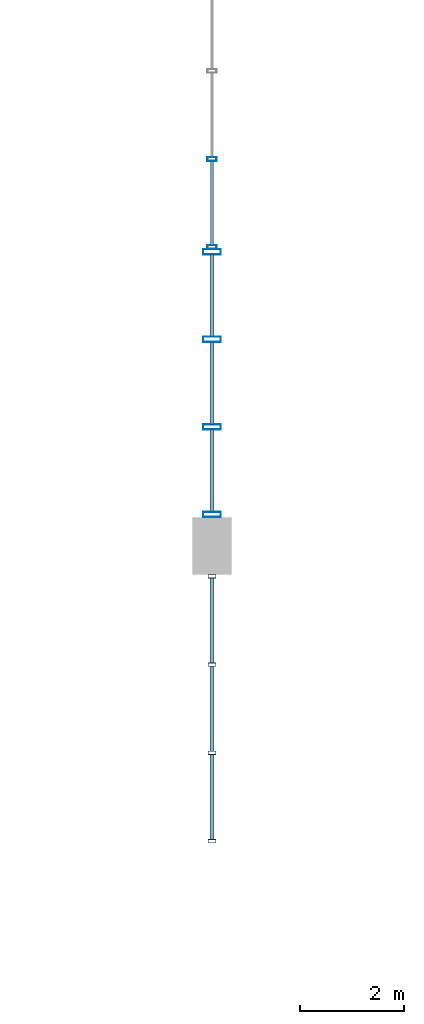
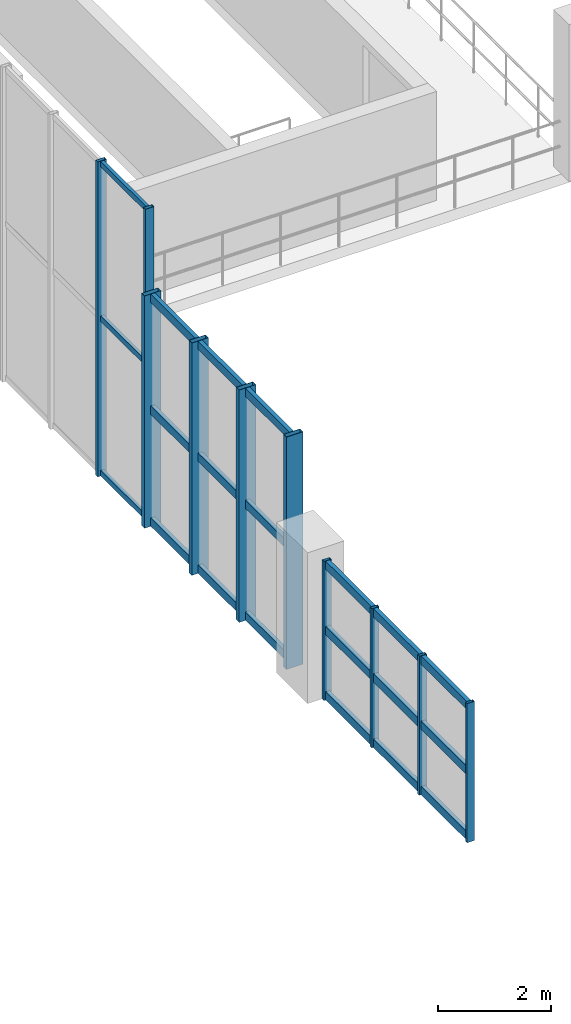
# One storey, part 6 of 28: 31 members, 3 elements without a shape of their own.
"""IFC4 building model written with IfcOpenShell, lengths in metres."""

from ifc_helpers import new_model, si_unit, direction, frame, origin, origin_2d, place, context, subcontext, project, spatial, hollow_rectangle, extrude, material, layer, layer_set, material_profile, profile_set, type_object, element, aggregate, save


model = new_model("IFC4")

# Units and contexts
model_context = context("Model", 3, precision=1e-05, world=origin(), true_north=direction((0.0, 1.0)))
body_context = subcontext(model_context, "Body", "Model", "MODEL_VIEW")
ifc_project = project(units=[si_unit("LENGTHUNIT", "METRE"), si_unit("AREAUNIT", "SQUARE_METRE"), si_unit("VOLUMEUNIT", "CUBIC_METRE"), si_unit("PLANEANGLEUNIT", "RADIAN"), si_unit("MASSUNIT", "GRAM", prefix="KILO"), si_unit("POWERUNIT", "WATT"), si_unit("THERMODYNAMICTEMPERATUREUNIT", "KELVIN")], contexts=[model_context])

# Site, building, storey
site_placement = place(None, origin())
site = spatial("IfcSite", under=ifc_project, at=site_placement, CompositionType="ELEMENT")
building_placement = place(site_placement, origin())
building = spatial("IfcBuilding", under=site, at=building_placement, Name="Kelmbourne Parkland Aquatics Centre", CompositionType="ELEMENT")
storey_placement = place(building_placement, frame((0.0, 0.0, 19.199951171875)))
storey = spatial("IfcBuildingStorey", under=building, at=storey_placement, Name="L04", CompositionType="ELEMENT", Elevation=19.199951171875)

# Curtain wall, members
ifc_material = material(Name="Thermally broken anodised aluminium framing", Category="aluminium")
ifc_layer_1 = layer(ifc_material, 0.179931640625)
ifc_layer_set_1 = layer_set([ifc_layer_1], Name="Thermally broken anodised aluminium framing")
curtain_wall_type_1 = type_object("IfcCurtainWallType", Name="CW-08", PredefinedType="NOTDEFINED", material=ifc_layer_set_1)
curtain_wall_1_placement = place(storey_placement, origin())
curtain_wall_1 = element("IfcCurtainWall", 1, at=curtain_wall_1_placement, inside=storey, type_object=curtain_wall_type_1, Name="Wave-hall clerestory curtain wall CW-L04-080", PredefinedType="NOTDEFINED")
ifc_material_profile_1 = material_profile(ifc_material, hollow_rectangle(XDim=0.06494140625, YDim=0.14990234375, WallThickness=0.00390625, at=origin_2d()), Name="CW-M 65x150")
ifc_profile_set_1 = profile_set([ifc_material_profile_1], Name="Thermally broken anodised aluminium framing")
member_type_1 = type_object("IfcMemberType", Name="MB-MUL-1", PredefinedType="MULLION", material=ifc_profile_set_1)
member_1_placement = place(storey_placement, frame((128.0, 86.33251953125, 0.0), z_axis=(0.0, 0.0, 1.0), x_axis=(0.0, 1.0, 0.0)))
member_1 = element("IfcMember", 2, at=member_1_placement, type_object=member_type_1, Name="CW-L04-080 mullion 0", PredefinedType="MULLION", context=body_context, shape_type="SweptSolid", body=[
    extrude(hollow_rectangle(XDim=0.06494140625, YDim=0.14990234375, WallThickness=0.00390625, at=origin_2d()), origin(), (0.0, 0.0, 1.0), 3.015869140625),
])
member_2_placement = place(storey_placement, frame((128.0, 88.02685546875, 0.0), z_axis=(0.0, 0.0, 1.0), x_axis=(0.0, 1.0, 0.0)))
member_2 = element("IfcMember", 3, at=member_2_placement, type_object=member_type_1, Name="CW-L04-080 mullion 1", PredefinedType="MULLION", context=body_context, shape_type="SweptSolid", body=[
    extrude(hollow_rectangle(XDim=0.06494140625, YDim=0.14990234375, WallThickness=0.00390625, at=origin_2d()), origin(), (0.0, 0.0, 1.0), 3.015869140625),
])
member_3_placement = place(storey_placement, frame((128.0, 89.72119140625, 0.0), z_axis=(0.0, 0.0, 1.0), x_axis=(0.0, 1.0, 0.0)))
member_3 = element("IfcMember", 4, at=member_3_placement, type_object=member_type_1, Name="CW-L04-080 mullion 2", PredefinedType="MULLION", context=body_context, shape_type="SweptSolid", body=[
    extrude(hollow_rectangle(XDim=0.06494140625, YDim=0.14990234375, WallThickness=0.00390625, at=origin_2d()), origin(), (0.0, 0.0, 1.0), 3.015869140625),
])
member_4_placement = place(storey_placement, frame((128.0, 91.41552734375, 0.0), z_axis=(0.0, 0.0, 1.0), x_axis=(0.0, 1.0, 0.0)))
member_4 = element("IfcMember", 5, at=member_4_placement, type_object=member_type_1, Name="CW-L04-080 mullion 3", PredefinedType="MULLION", context=body_context, shape_type="SweptSolid", body=[
    extrude(hollow_rectangle(XDim=0.06494140625, YDim=0.14990234375, WallThickness=0.00390625, at=origin_2d()), origin(), (0.0, 0.0, 1.0), 3.015869140625),
])

ifc_layer_2 = layer(ifc_material, 0.179931640625)
ifc_layer_set_2 = layer_set([ifc_layer_2], Name="Thermally broken anodised aluminium framing")
curtain_wall_type_2 = type_object("IfcCurtainWallType", Name="CW-24", PredefinedType="NOTDEFINED", material=ifc_layer_set_2)
curtain_wall_2_placement = place(storey_placement, origin())
curtain_wall_2 = element("IfcCurtainWall", 6, at=curtain_wall_2_placement, inside=storey, type_object=curtain_wall_type_2, Name="Wave-hall clerestory curtain wall CW-L04-096", PredefinedType="NOTDEFINED")
ifc_material_profile_2 = material_profile(ifc_material, hollow_rectangle(XDim=0.074951171875, YDim=0.179931640625, WallThickness=0.00439453125, at=origin_2d()), Name="CW-M 75x180")
ifc_profile_set_2 = profile_set([ifc_material_profile_2], Name="Thermally broken anodised aluminium framing")
member_type_2 = type_object("IfcMemberType", Name="MB-MUL-2", PredefinedType="MULLION", material=ifc_profile_set_2)
member_5_placement = place(storey_placement, frame((128.0, 97.737548828125, 0.0), z_axis=(0.0, 0.0, 1.0), x_axis=(0.0, 1.0, 0.0)))
member_5 = element("IfcMember", 7, at=member_5_placement, type_object=member_type_2, Name="CW-L04-096 mullion 0", PredefinedType="MULLION", context=body_context, shape_type="SweptSolid", body=[
    extrude(hollow_rectangle(XDim=0.074951171875, YDim=0.179931640625, WallThickness=0.00439453125, at=origin_2d()), origin(), (0.0, 0.0, 1.0), 6.82421875),
])
member_6_placement = place(storey_placement, frame((128.0, 99.428466796875, 0.0), z_axis=(0.0, 0.0, 1.0), x_axis=(0.0, 1.0, 0.0)))
member_6 = element("IfcMember", 8, at=member_6_placement, type_object=member_type_2, Name="CW-L04-096 mullion 1", PredefinedType="MULLION", context=body_context, shape_type="SweptSolid", body=[
    extrude(hollow_rectangle(XDim=0.074951171875, YDim=0.179931640625, WallThickness=0.00439453125, at=origin_2d()), origin(), (0.0, 0.0, 1.0), 6.82421875),
])

ifc_layer_3 = layer(ifc_material, 0.179931640625)
ifc_layer_set_3 = layer_set([ifc_layer_3], Name="Thermally broken anodised aluminium framing")
curtain_wall_type_3 = type_object("IfcCurtainWallType", Name="CW-17", PredefinedType="NOTDEFINED", material=ifc_layer_set_3)
curtain_wall_3_placement = place(storey_placement, origin())
curtain_wall_3 = element("IfcCurtainWall", 9, at=curtain_wall_3_placement, inside=storey, type_object=curtain_wall_type_3, Name="Wave-hall clerestory curtain wall CW-L04-089", PredefinedType="NOTDEFINED")
ifc_material_profile_3 = material_profile(ifc_material, hollow_rectangle(XDim=0.10498046875, YDim=0.340087890625, WallThickness=0.006103515625, at=origin_2d()), Name="CW-M 105x340")
ifc_profile_set_3 = profile_set([ifc_material_profile_3], Name="Thermally broken anodised aluminium framing")
member_type_3 = type_object("IfcMemberType", Name="MB-MUL-5", PredefinedType="MULLION", material=ifc_profile_set_3)
member_7_placement = place(storey_placement, frame((128.0, 92.6044921875, 0.0), z_axis=(0.0, 0.0, 1.0), x_axis=(0.0, 1.0, 0.0)))
member_7 = element("IfcMember", 10, at=member_7_placement, type_object=member_type_3, Name="CW-L04-089 mullion 0", PredefinedType="MULLION", context=body_context, shape_type="SweptSolid", body=[
    extrude(hollow_rectangle(XDim=0.10498046875, YDim=0.340087890625, WallThickness=0.006103515625, at=origin_2d()), origin(), (0.0, 0.0, 1.0), 5.037109375),
])
member_8_placement = place(storey_placement, frame((128.0, 94.285400390625, 0.0), z_axis=(0.0, 0.0, 1.0), x_axis=(0.0, 1.0, 0.0)))
member_8 = element("IfcMember", 11, at=member_8_placement, type_object=member_type_3, Name="CW-L04-089 mullion 1", PredefinedType="MULLION", context=body_context, shape_type="SweptSolid", body=[
    extrude(hollow_rectangle(XDim=0.10498046875, YDim=0.340087890625, WallThickness=0.006103515625, at=origin_2d()), origin(), (0.0, 0.0, 1.0), 5.037109375),
])
member_9_placement = place(storey_placement, frame((128.0, 95.966552734375, 0.0), z_axis=(0.0, 0.0, 1.0), x_axis=(0.0, 1.0, 0.0)))
member_9 = element("IfcMember", 12, at=member_9_placement, type_object=member_type_3, Name="CW-L04-089 mullion 2", PredefinedType="MULLION", context=body_context, shape_type="SweptSolid", body=[
    extrude(hollow_rectangle(XDim=0.10498046875, YDim=0.340087890625, WallThickness=0.006103515625, at=origin_2d()), origin(), (0.0, 0.0, 1.0), 5.037109375),
])
member_10_placement = place(storey_placement, frame((128.0, 97.6474609375, 0.0), z_axis=(0.0, 0.0, 1.0), x_axis=(0.0, 1.0, 0.0)))
member_10 = element("IfcMember", 13, at=member_10_placement, type_object=member_type_3, Name="CW-L04-089 mullion 3", PredefinedType="MULLION", context=body_context, shape_type="SweptSolid", body=[
    extrude(hollow_rectangle(XDim=0.10498046875, YDim=0.340087890625, WallThickness=0.006103515625, at=origin_2d()), origin(), (0.0, 0.0, 1.0), 5.037109375),
])

# Member
ifc_material_profile_4 = material_profile(ifc_material, hollow_rectangle(XDim=0.06494140625, YDim=0.1201171875, WallThickness=0.00341796875, at=origin_2d()), Name="CW-T 65x120")
ifc_profile_set_4 = profile_set([ifc_material_profile_4], Name="Thermally broken anodised aluminium framing")
member_type_4 = type_object("IfcMemberType", Name="MB-TRN-1", PredefinedType="USERDEFINED", material=ifc_profile_set_4)
member_11_placement = place(storey_placement, frame((128.0, 97.77099609375, 0.06298828125), z_axis=(0.0, 1.0, 0.0), x_axis=(-1.0, 0.0, 0.0)))
member_11 = element("IfcMember", 14, at=member_11_placement, type_object=member_type_4, Name="CW-L04-096 transom 0-0", ObjectType="TRANSOM", PredefinedType="USERDEFINED", context=body_context, shape_type="SweptSolid", body=[
    extrude(hollow_rectangle(XDim=0.06494140625, YDim=0.1201171875, WallThickness=0.00341796875, at=origin_2d()), origin(), (0.0, 0.0, 1.0), 1.6240234375),
])

member_12_placement = place(storey_placement, frame((128.0, 97.77099609375, 3.412109375), z_axis=(0.0, 1.0, 0.0), x_axis=(-1.0, 0.0, 0.0)))
member_12 = element("IfcMember", 15, at=member_12_placement, type_object=member_type_4, Name="CW-L04-096 transom 1-0", ObjectType="TRANSOM", PredefinedType="USERDEFINED", context=body_context, shape_type="SweptSolid", body=[
    extrude(hollow_rectangle(XDim=0.06494140625, YDim=0.1201171875, WallThickness=0.00341796875, at=origin_2d()), origin(), (0.0, 0.0, 1.0), 1.6240234375),
])

member_13_placement = place(storey_placement, frame((128.0, 97.77099609375, 6.76123046875), z_axis=(0.0, 1.0, 0.0), x_axis=(-1.0, 0.0, 0.0)))
member_13 = element("IfcMember", 16, at=member_13_placement, type_object=member_type_4, Name="CW-L04-096 transom 2-0", ObjectType="TRANSOM", PredefinedType="USERDEFINED", context=body_context, shape_type="SweptSolid", body=[
    extrude(hollow_rectangle(XDim=0.06494140625, YDim=0.1201171875, WallThickness=0.00341796875, at=origin_2d()), origin(), (0.0, 0.0, 1.0), 1.6240234375),
])

aggregate(curtain_wall_2, [member_5, member_6, member_11, member_12, member_13])

ifc_material_profile_5 = material_profile(ifc_material, hollow_rectangle(XDim=0.0849609375, YDim=0.179931640625, WallThickness=0.00439453125, at=origin_2d()), Name="CW-T 85x180")
ifc_profile_set_5 = profile_set([ifc_material_profile_5], Name="Thermally broken anodised aluminium framing")
member_type_5 = type_object("IfcMemberType", Name="MB-TRN-3", PredefinedType="USERDEFINED", material=ifc_profile_set_5)
member_14_placement = place(storey_placement, frame((128.0, 86.361083984375, 0.093017578125), z_axis=(0.0, 1.0, 0.0), x_axis=(-1.0, 0.0, 0.0)))
member_14 = element("IfcMember", 17, at=member_14_placement, type_object=member_type_5, Name="CW-L04-080 transom 0-0", ObjectType="TRANSOM", PredefinedType="USERDEFINED", context=body_context, shape_type="SweptSolid", body=[
    extrude(hollow_rectangle(XDim=0.0849609375, YDim=0.179931640625, WallThickness=0.00439453125, at=origin_2d()), origin(), (0.0, 0.0, 1.0), 1.63720703125),
])

member_15_placement = place(storey_placement, frame((128.0, 88.055419921875, 0.093017578125), z_axis=(0.0, 1.0, 0.0), x_axis=(-1.0, 0.0, 0.0)))
member_15 = element("IfcMember", 18, at=member_15_placement, type_object=member_type_5, Name="CW-L04-080 transom 0-1", ObjectType="TRANSOM", PredefinedType="USERDEFINED", context=body_context, shape_type="SweptSolid", body=[
    extrude(hollow_rectangle(XDim=0.0849609375, YDim=0.179931640625, WallThickness=0.00439453125, at=origin_2d()), origin(), (0.0, 0.0, 1.0), 1.63720703125),
])

member_16_placement = place(storey_placement, frame((128.0, 89.749755859375, 0.093017578125), z_axis=(0.0, 1.0, 0.0), x_axis=(-1.0, 0.0, 0.0)))
member_16 = element("IfcMember", 19, at=member_16_placement, type_object=member_type_5, Name="CW-L04-080 transom 0-2", ObjectType="TRANSOM", PredefinedType="USERDEFINED", context=body_context, shape_type="SweptSolid", body=[
    extrude(hollow_rectangle(XDim=0.0849609375, YDim=0.179931640625, WallThickness=0.00439453125, at=origin_2d()), origin(), (0.0, 0.0, 1.0), 1.63720703125),
])

member_17_placement = place(storey_placement, frame((128.0, 86.361083984375, 1.508056640625), z_axis=(0.0, 1.0, 0.0), x_axis=(-1.0, 0.0, 0.0)))
member_17 = element("IfcMember", 20, at=member_17_placement, type_object=member_type_5, Name="CW-L04-080 transom 1-0", ObjectType="TRANSOM", PredefinedType="USERDEFINED", context=body_context, shape_type="SweptSolid", body=[
    extrude(hollow_rectangle(XDim=0.0849609375, YDim=0.179931640625, WallThickness=0.00439453125, at=origin_2d()), origin(), (0.0, 0.0, 1.0), 1.63720703125),
])

member_18_placement = place(storey_placement, frame((128.0, 88.055419921875, 1.508056640625), z_axis=(0.0, 1.0, 0.0), x_axis=(-1.0, 0.0, 0.0)))
member_18 = element("IfcMember", 21, at=member_18_placement, type_object=member_type_5, Name="CW-L04-080 transom 1-1", ObjectType="TRANSOM", PredefinedType="USERDEFINED", context=body_context, shape_type="SweptSolid", body=[
    extrude(hollow_rectangle(XDim=0.0849609375, YDim=0.179931640625, WallThickness=0.00439453125, at=origin_2d()), origin(), (0.0, 0.0, 1.0), 1.63720703125),
])

member_19_placement = place(storey_placement, frame((128.0, 89.749755859375, 1.508056640625), z_axis=(0.0, 1.0, 0.0), x_axis=(-1.0, 0.0, 0.0)))
member_19 = element("IfcMember", 22, at=member_19_placement, type_object=member_type_5, Name="CW-L04-080 transom 1-2", ObjectType="TRANSOM", PredefinedType="USERDEFINED", context=body_context, shape_type="SweptSolid", body=[
    extrude(hollow_rectangle(XDim=0.0849609375, YDim=0.179931640625, WallThickness=0.00439453125, at=origin_2d()), origin(), (0.0, 0.0, 1.0), 1.63720703125),
])

member_20_placement = place(storey_placement, frame((128.0, 86.361083984375, 2.9228515625), z_axis=(0.0, 1.0, 0.0), x_axis=(-1.0, 0.0, 0.0)))
member_20 = element("IfcMember", 23, at=member_20_placement, type_object=member_type_5, Name="CW-L04-080 transom 2-0", ObjectType="TRANSOM", PredefinedType="USERDEFINED", context=body_context, shape_type="SweptSolid", body=[
    extrude(hollow_rectangle(XDim=0.0849609375, YDim=0.179931640625, WallThickness=0.00439453125, at=origin_2d()), origin(), (0.0, 0.0, 1.0), 1.63720703125),
])

member_21_placement = place(storey_placement, frame((128.0, 88.055419921875, 2.9228515625), z_axis=(0.0, 1.0, 0.0), x_axis=(-1.0, 0.0, 0.0)))
member_21 = element("IfcMember", 24, at=member_21_placement, type_object=member_type_5, Name="CW-L04-080 transom 2-1", ObjectType="TRANSOM", PredefinedType="USERDEFINED", context=body_context, shape_type="SweptSolid", body=[
    extrude(hollow_rectangle(XDim=0.0849609375, YDim=0.179931640625, WallThickness=0.00439453125, at=origin_2d()), origin(), (0.0, 0.0, 1.0), 1.63720703125),
])

member_22_placement = place(storey_placement, frame((128.0, 89.749755859375, 2.9228515625), z_axis=(0.0, 1.0, 0.0), x_axis=(-1.0, 0.0, 0.0)))
member_22 = element("IfcMember", 25, at=member_22_placement, type_object=member_type_5, Name="CW-L04-080 transom 2-2", ObjectType="TRANSOM", PredefinedType="USERDEFINED", context=body_context, shape_type="SweptSolid", body=[
    extrude(hollow_rectangle(XDim=0.0849609375, YDim=0.179931640625, WallThickness=0.00439453125, at=origin_2d()), origin(), (0.0, 0.0, 1.0), 1.63720703125),
])

aggregate(curtain_wall_1, [member_1, member_2, member_3, member_4, member_14, member_15, member_16, member_17, member_18, member_19, member_20, member_21, member_22])

member_23_placement = place(storey_placement, frame((128.0, 92.653076171875, 0.093017578125), z_axis=(0.0, 1.0, 0.0), x_axis=(-1.0, 0.0, 0.0)))
member_23 = element("IfcMember", 26, at=member_23_placement, type_object=member_type_5, Name="CW-L04-089 transom 0-0", ObjectType="TRANSOM", PredefinedType="USERDEFINED", context=body_context, shape_type="SweptSolid", body=[
    extrude(hollow_rectangle(XDim=0.0849609375, YDim=0.179931640625, WallThickness=0.00439453125, at=origin_2d()), origin(), (0.0, 0.0, 1.0), 1.583984375),
])

member_24_placement = place(storey_placement, frame((128.0, 94.333984375, 0.093017578125), z_axis=(0.0, 1.0, 0.0), x_axis=(-1.0, 0.0, 0.0)))
member_24 = element("IfcMember", 27, at=member_24_placement, type_object=member_type_5, Name="CW-L04-089 transom 0-1", ObjectType="TRANSOM", PredefinedType="USERDEFINED", context=body_context, shape_type="SweptSolid", body=[
    extrude(hollow_rectangle(XDim=0.0849609375, YDim=0.179931640625, WallThickness=0.00439453125, at=origin_2d()), origin(), (0.0, 0.0, 1.0), 1.583984375),
])

member_25_placement = place(storey_placement, frame((128.0, 96.014892578125, 0.093017578125), z_axis=(0.0, 1.0, 0.0), x_axis=(-1.0, 0.0, 0.0)))
member_25 = element("IfcMember", 28, at=member_25_placement, type_object=member_type_5, Name="CW-L04-089 transom 0-2", ObjectType="TRANSOM", PredefinedType="USERDEFINED", context=body_context, shape_type="SweptSolid", body=[
    extrude(hollow_rectangle(XDim=0.0849609375, YDim=0.179931640625, WallThickness=0.00439453125, at=origin_2d()), origin(), (0.0, 0.0, 1.0), 1.584228515625),
])

member_26_placement = place(storey_placement, frame((128.0, 92.653076171875, 2.5185546875), z_axis=(0.0, 1.0, 0.0), x_axis=(-1.0, 0.0, 0.0)))
member_26 = element("IfcMember", 29, at=member_26_placement, type_object=member_type_5, Name="CW-L04-089 transom 1-0", ObjectType="TRANSOM", PredefinedType="USERDEFINED", context=body_context, shape_type="SweptSolid", body=[
    extrude(hollow_rectangle(XDim=0.0849609375, YDim=0.179931640625, WallThickness=0.00439453125, at=origin_2d()), origin(), (0.0, 0.0, 1.0), 1.583984375),
])

member_27_placement = place(storey_placement, frame((128.0, 94.333984375, 2.5185546875), z_axis=(0.0, 1.0, 0.0), x_axis=(-1.0, 0.0, 0.0)))
member_27 = element("IfcMember", 30, at=member_27_placement, type_object=member_type_5, Name="CW-L04-089 transom 1-1", ObjectType="TRANSOM", PredefinedType="USERDEFINED", context=body_context, shape_type="SweptSolid", body=[
    extrude(hollow_rectangle(XDim=0.0849609375, YDim=0.179931640625, WallThickness=0.00439453125, at=origin_2d()), origin(), (0.0, 0.0, 1.0), 1.583984375),
])

member_28_placement = place(storey_placement, frame((128.0, 96.014892578125, 2.5185546875), z_axis=(0.0, 1.0, 0.0), x_axis=(-1.0, 0.0, 0.0)))
member_28 = element("IfcMember", 31, at=member_28_placement, type_object=member_type_5, Name="CW-L04-089 transom 1-2", ObjectType="TRANSOM", PredefinedType="USERDEFINED", context=body_context, shape_type="SweptSolid", body=[
    extrude(hollow_rectangle(XDim=0.0849609375, YDim=0.179931640625, WallThickness=0.00439453125, at=origin_2d()), origin(), (0.0, 0.0, 1.0), 1.584228515625),
])

member_29_placement = place(storey_placement, frame((128.0, 92.653076171875, 4.944091796875), z_axis=(0.0, 1.0, 0.0), x_axis=(-1.0, 0.0, 0.0)))
member_29 = element("IfcMember", 32, at=member_29_placement, type_object=member_type_5, Name="CW-L04-089 transom 2-0", ObjectType="TRANSOM", PredefinedType="USERDEFINED", context=body_context, shape_type="SweptSolid", body=[
    extrude(hollow_rectangle(XDim=0.0849609375, YDim=0.179931640625, WallThickness=0.00439453125, at=origin_2d()), origin(), (0.0, 0.0, 1.0), 1.583984375),
])

member_30_placement = place(storey_placement, frame((128.0, 94.333984375, 4.944091796875), z_axis=(0.0, 1.0, 0.0), x_axis=(-1.0, 0.0, 0.0)))
member_30 = element("IfcMember", 33, at=member_30_placement, type_object=member_type_5, Name="CW-L04-089 transom 2-1", ObjectType="TRANSOM", PredefinedType="USERDEFINED", context=body_context, shape_type="SweptSolid", body=[
    extrude(hollow_rectangle(XDim=0.0849609375, YDim=0.179931640625, WallThickness=0.00439453125, at=origin_2d()), origin(), (0.0, 0.0, 1.0), 1.583984375),
])

member_31_placement = place(storey_placement, frame((128.0, 96.014892578125, 4.944091796875), z_axis=(0.0, 1.0, 0.0), x_axis=(-1.0, 0.0, 0.0)))
member_31 = element("IfcMember", 34, at=member_31_placement, type_object=member_type_5, Name="CW-L04-089 transom 2-2", ObjectType="TRANSOM", PredefinedType="USERDEFINED", context=body_context, shape_type="SweptSolid", body=[
    extrude(hollow_rectangle(XDim=0.0849609375, YDim=0.179931640625, WallThickness=0.00439453125, at=origin_2d()), origin(), (0.0, 0.0, 1.0), 1.584228515625),
])

aggregate(curtain_wall_3, [member_7, member_8, member_9, member_10, member_23, member_24, member_25, member_26, member_27, member_28, member_29, member_30, member_31])

save(model, "model.ifc")
